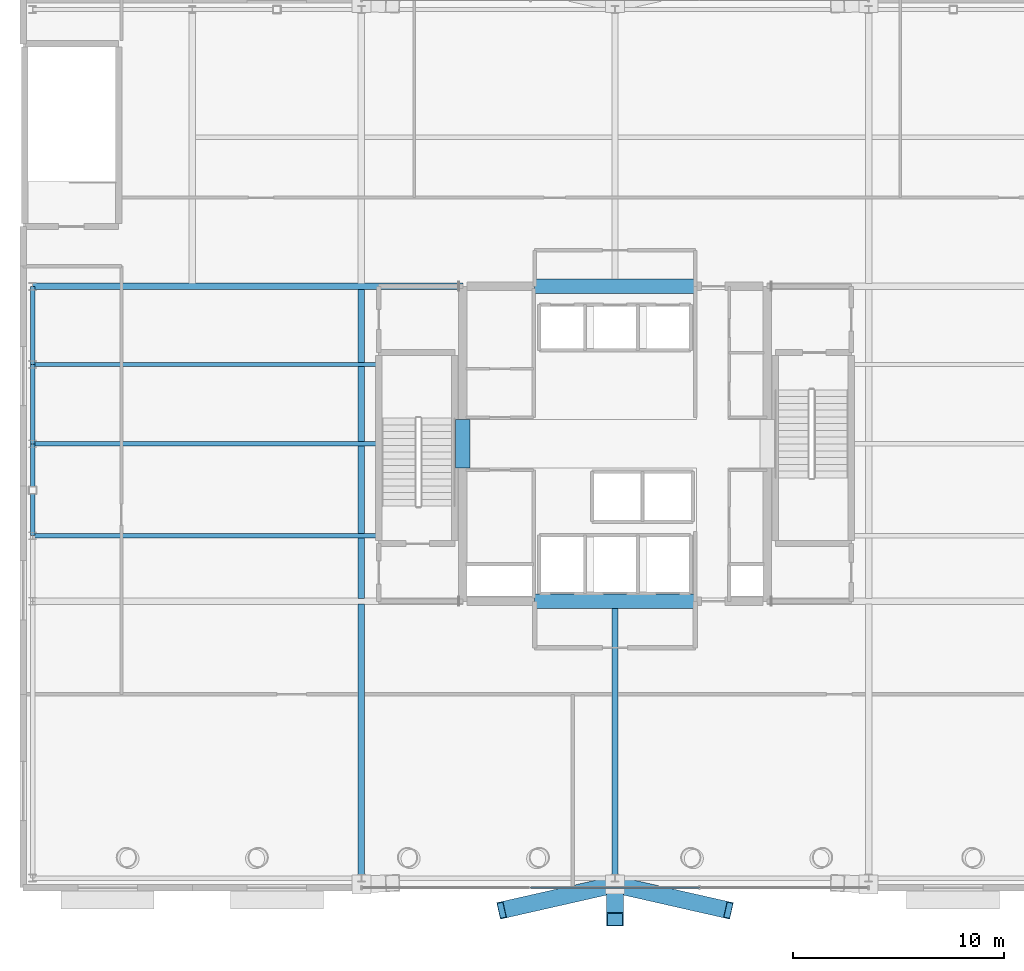
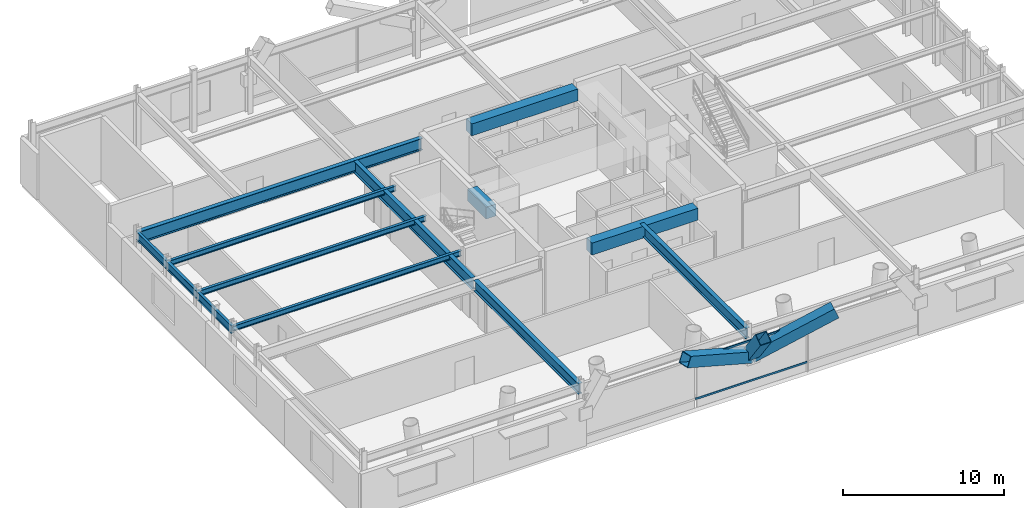
# One storey, part 7 of 21: 13 beams, 5 members, 1 element without a shape of its own.
"""IFC4 building model written with IfcOpenShell, lengths in metres."""

from ifc_helpers import new_model, si_unit, direction, frame, origin, origin_2d, place, context, subcontext, project, spatial, rectangle, hollow_rectangle, i_section, extrude, material, layer, layer_set, material_profile, profile_set, type_object, element, aggregate, save


model = new_model("IFC4")

# Units and contexts
model_context = context("Model", 3, precision=1e-05, world=origin(), true_north=direction((0.0, 1.0)))
body_context = subcontext(model_context, "Body", "Model", "MODEL_VIEW")
ifc_project = project(units=[si_unit("LENGTHUNIT", "METRE"), si_unit("AREAUNIT", "SQUARE_METRE"), si_unit("VOLUMEUNIT", "CUBIC_METRE"), si_unit("PLANEANGLEUNIT", "RADIAN"), si_unit("MASSUNIT", "GRAM", prefix="KILO")], contexts=[model_context])

# Site, building, storey
site_placement = place(None, origin())
site = spatial("IfcSite", under=ifc_project, at=site_placement, CompositionType="ELEMENT")
building_placement = place(site_placement, origin())
building = spatial("IfcBuilding", under=site, at=building_placement, Name="Veldorina Hangang Commons", CompositionType="ELEMENT")
storey_placement = place(building_placement, frame((0.0, 0.0, 19.60009765625)))
storey = spatial("IfcBuildingStorey", under=building, at=storey_placement, Name="L04", CompositionType="ELEMENT", Elevation=19.60009765625)

# Beams
ifc_material_1 = material(Name="Concrete C70/85", Category="concrete")
ifc_material_profile_1 = material_profile(ifc_material_1, rectangle(XDim=0.699951171875, YDim=0.89990234375, at=origin_2d()), Name="RC-CB-700x900")
ifc_profile_set_1 = profile_set([ifc_material_profile_1], Name="Concrete C70/85")
beam_type_1 = type_object("IfcBeamType", Name="BM-CB900", PredefinedType="LINTEL", material=ifc_profile_set_1)
beam_1_placement = place(storey_placement, frame((24.800048828125, 22.85009765625, 3.949951171875), z_axis=(0.0, 1.0, 0.0), x_axis=(-1.0, 0.0, 0.0)))
element("IfcBeam", 1, at=beam_1_placement, inside=storey, type_object=beam_type_1, Name="L04 W core coupling lintel beam", PredefinedType="LINTEL", context=body_context, shape_type="SweptSolid", body=[
    extrude(rectangle(XDim=0.699951171875, YDim=0.89990234375, at=origin_2d()), origin(), (0.0, 0.0, 1.0), 2.2998046875),
])
for number, where, z_axis, x_axis, name in (
    (2, (28.199951171875, 16.550048828125, 3.949951171875), (1.0, 0.0, 0.0), (0.0, 1.0, 0.0), "L04 south core coupling beam"),
    (3, (28.199951171875, 31.449951171875, 3.949951171875), (1.0, 0.0, 0.0), (0.0, 1.0, 0.0), "L04 north core coupling beam"),
):
    element("IfcBeam", number, at=place(storey_placement, frame(where, z_axis=z_axis, x_axis=x_axis)), inside=storey, type_object=beam_type_1, Name=name, PredefinedType="LINTEL", context=body_context, shape_type="SweptSolid", body=[
        extrude(rectangle(XDim=0.699951171875, YDim=0.89990234375, at=origin_2d()), origin(), (0.0, 0.0, 1.0), 7.60009765625),
    ])
ifc_material_2 = material(Name="Steel SM355-TMC", Category="steel")
ifc_material_profile_2 = material_profile(ifc_material_2, i_section(OverallWidth=0.199951171875, OverallDepth=0.39990234375, WebThickness=0.008056640625, FlangeThickness=0.012939453125, FilletRadius=0.012939453125, at=origin_2d()), Name="H-400x200x8x13")
ifc_profile_set_2 = profile_set([ifc_material_profile_2], Name="Steel SM355-TMC")
beam_type_2 = type_object("IfcBeamType", Name="BM-JST400", PredefinedType="JOIST", material=ifc_profile_set_2)
for number, where, z_axis, x_axis, name in (
    (4, (4.449951171875, 19.64990234375, 4.199951171875), (1.0, 0.0, 0.0), (0.0, 1.0, 0.0), "L04 west floor joist 1"),
    (5, (4.449951171875, 24.0, 4.199951171875), (1.0, 0.0, 0.0), (0.0, 1.0, 0.0), "L04 west floor joist 2"),
    (6, (4.449951171875, 27.75, 4.199951171875), (1.0, 0.0, 0.0), (0.0, 1.0, 0.0), "L04 west floor joist 3"),
):
    element("IfcBeam", number, at=place(storey_placement, frame(where, z_axis=z_axis, x_axis=x_axis)), inside=storey, type_object=beam_type_2, Name=name, PredefinedType="JOIST", context=body_context, shape_type="SweptSolid", body=[
        extrude(i_section(OverallWidth=0.199951171875, OverallDepth=0.39990234375, WebThickness=0.008056640625, FlangeThickness=0.012939453125, FilletRadius=0.012939453125, at=origin_2d()), origin(), (0.0, 0.0, 1.0), 16.3701171875),
    ])
ifc_material_3 = material(Name="Steel SM460-TMC", Category="steel")
ifc_material_profile_3 = material_profile(ifc_material_3, i_section(OverallWidth=0.300048828125, OverallDepth=0.800048828125, WebThickness=0.013916015625, FlangeThickness=0.02587890625, FilletRadius=0.02197265625, at=origin_2d()), Name="H-800x300x14x26")
ifc_profile_set_3 = profile_set([ifc_material_profile_3], Name="Steel SM460-TMC")
beam_type_3 = type_object("IfcBeamType", Name="BM-PG800", PredefinedType="BEAM", material=ifc_profile_set_3)
beam_2_placement = place(storey_placement, frame((20.0, 3.449951171875, 4.0), z_axis=(0.0, 1.0, 0.0), x_axis=(-1.0, 0.0, 0.0)))
element("IfcBeam", 7, at=beam_2_placement, inside=storey, type_object=beam_type_3, Name="L04 south primary girder G3", PredefinedType="BEAM", context=body_context, shape_type="SweptSolid", body=[
    extrude(i_section(OverallWidth=0.300048828125, OverallDepth=0.800048828125, WebThickness=0.013916015625, FlangeThickness=0.02587890625, FilletRadius=0.02197265625, at=origin_2d()), origin(), (0.0, 0.0, 1.0), 12.9599609375),
])
beam_3_placement = place(storey_placement, frame((32.0, 3.449951171875, 4.0), z_axis=(0.0, 1.0, 0.0), x_axis=(-1.0, 0.0, 0.0)))
element("IfcBeam", 8, at=beam_3_placement, inside=storey, type_object=beam_type_3, Name="L04 south primary girder G5", PredefinedType="BEAM", context=body_context, shape_type="SweptSolid", body=[
    extrude(i_section(OverallWidth=0.300048828125, OverallDepth=0.800048828125, WebThickness=0.013916015625, FlangeThickness=0.02587890625, FilletRadius=0.02197265625, at=origin_2d()), origin(), (0.0, 0.0, 1.0), 13.10009765625),
])
ifc_material_profile_4 = material_profile(ifc_material_3, i_section(OverallWidth=0.300048828125, OverallDepth=0.89990234375, WebThickness=0.01611328125, FlangeThickness=0.028076171875, FilletRadius=0.02197265625, at=origin_2d()), Name="H-900x300x16x28")
ifc_profile_set_4 = profile_set([ifc_material_profile_4], Name="Steel SM460-TMC")
beam_type_4 = type_object("IfcBeamType", Name="BM-PG900", PredefinedType="BEAM", material=ifc_profile_set_4)
beam_4_placement = place(storey_placement, frame((4.449951171875, 31.449951171875, 3.949951171875), z_axis=(1.0, 0.0, 0.0), x_axis=(0.0, 1.0, 0.0)))
element("IfcBeam", 9, at=beam_4_placement, inside=storey, type_object=beam_type_4, Name="L04 west collector girder GF", PredefinedType="BEAM", context=body_context, shape_type="SweptSolid", body=[
    extrude(i_section(OverallWidth=0.300048828125, OverallDepth=0.89990234375, WebThickness=0.01611328125, FlangeThickness=0.028076171875, FilletRadius=0.02197265625, at=origin_2d()), origin(), (0.0, 0.0, 1.0), 20.35009765625),
])
beam_5_placement = place(storey_placement, frame((20.0, 16.68994140625, 3.949951171875), z_axis=(0.0, 1.0, 0.0), x_axis=(-1.0, 0.0, 0.0)))
element("IfcBeam", 10, at=beam_5_placement, inside=storey, type_object=beam_type_4, Name="L04 mid primary girder G3", PredefinedType="BEAM", context=body_context, shape_type="SweptSolid", body=[
    extrude(i_section(OverallWidth=0.300048828125, OverallDepth=0.89990234375, WebThickness=0.01611328125, FlangeThickness=0.028076171875, FilletRadius=0.02197265625, at=origin_2d()), origin(), (0.0, 0.0, 1.0), 14.6201171875),
])
ifc_material_4 = material(Name="Steel SM420-TMC", Category="steel")
ifc_material_profile_5 = material_profile(ifc_material_4, i_section(OverallWidth=0.199951171875, OverallDepth=0.60009765625, WebThickness=0.010986328125, FlangeThickness=0.01708984375, FilletRadius=0.01806640625, at=origin_2d()), Name="H-600x200x11x17")
ifc_profile_set_5 = profile_set([ifc_material_profile_5], Name="Steel SM420-TMC")
beam_type_5 = type_object("IfcBeamType", Name="BM-SPN600", PredefinedType="SPANDREL", material=ifc_profile_set_5)
beam_6_placement = place(storey_placement, frame((4.449951171875, 19.64990234375, 4.099853515625), z_axis=(0.0, 1.0, 0.0), x_axis=(-1.0, 0.0, 0.0)))
element("IfcBeam", 11, at=beam_6_placement, inside=storey, type_object=beam_type_5, Name="L04 west spandrel beam 3", PredefinedType="SPANDREL", context=body_context, shape_type="SweptSolid", body=[
    extrude(i_section(OverallWidth=0.199951171875, OverallDepth=0.60009765625, WebThickness=0.010986328125, FlangeThickness=0.01708984375, FilletRadius=0.01806640625, at=origin_2d()), origin(), (0.0, 0.0, 1.0), 4.35009765625),
])
beam_7_placement = place(storey_placement, frame((4.449951171875, 24.0, 4.099853515625), z_axis=(0.0, 1.0, 0.0), x_axis=(-1.0, 0.0, 0.0)))
element("IfcBeam", 12, at=beam_7_placement, inside=storey, type_object=beam_type_5, Name="L04 west spandrel beam 4", PredefinedType="SPANDREL", context=body_context, shape_type="SweptSolid", body=[
    extrude(i_section(OverallWidth=0.199951171875, OverallDepth=0.60009765625, WebThickness=0.010986328125, FlangeThickness=0.01708984375, FilletRadius=0.01806640625, at=origin_2d()), origin(), (0.0, 0.0, 1.0), 3.75),
])
beam_8_placement = place(storey_placement, frame((4.449951171875, 27.75, 4.099853515625), z_axis=(0.0, 1.0, 0.0), x_axis=(-1.0, 0.0, 0.0)))
element("IfcBeam", 13, at=beam_8_placement, inside=storey, type_object=beam_type_5, Name="L04 west spandrel beam 5", PredefinedType="SPANDREL", context=body_context, shape_type="SweptSolid", body=[
    extrude(i_section(OverallWidth=0.199951171875, OverallDepth=0.60009765625, WebThickness=0.010986328125, FlangeThickness=0.01708984375, FilletRadius=0.01806640625, at=origin_2d()), origin(), (0.0, 0.0, 1.0), 3.699951171875),
])

# Curtain wall, members
ifc_material_5 = material(Name="Glass Low-E Triple IGU", Category="glass")
ifc_layer = layer(ifc_material_5, 0.179931640625)
ifc_layer_set = layer_set([ifc_layer], Name="Glass Low-E Triple IGU")
curtain_wall_type = type_object("IfcCurtainWallType", Name="CW-SYS-POD", PredefinedType="NOTDEFINED", material=ifc_layer_set)
curtain_wall_placement = place(storey_placement, origin())
curtain_wall = element("IfcCurtainWall", 14, at=curtain_wall_placement, inside=storey, type_object=curtain_wall_type, Name="L04 unitised curtain wall CW-L04-S-CTR", PredefinedType="NOTDEFINED")
ifc_material_6 = material(Name="Aluminium Anodized AA6063-T6", Category="aluminium")
ifc_material_profile_6 = material_profile(ifc_material_6, hollow_rectangle(XDim=0.06005859375, YDim=0.139892578125, WallThickness=0.00341796875, at=origin_2d()), Name="ALU-RHS-140x60x3.5")
ifc_profile_set_6 = profile_set([ifc_material_profile_6], Name="Aluminium Anodized AA6063-T6")
member_type_1 = type_object("IfcMemberType", Name="CW-TRN-140", PredefinedType="USERDEFINED", material=ifc_profile_set_6)
member_1_placement = place(storey_placement, frame((28.0, 3.0, 0.699951171875), z_axis=(1.0, 0.0, 0.0), x_axis=(0.0, 1.0, 0.0)))
member_1 = element("IfcMember", 15, at=member_1_placement, type_object=member_type_1, Name="CW-L04-S-CTR facet 2 transom 1", ObjectType="TRANSOM", PredefinedType="USERDEFINED", context=body_context, shape_type="SweptSolid", body=[
    extrude(hollow_rectangle(XDim=0.06005859375, YDim=0.139892578125, WallThickness=0.00341796875, at=origin_2d()), origin(), (0.0, 0.0, 1.0), 8.0),
])
member_2_placement = place(storey_placement, frame((28.0, 3.0, 3.739990234375), z_axis=(1.0, 0.0, 0.0), x_axis=(0.0, 1.0, 0.0)))
member_2 = element("IfcMember", 16, at=member_2_placement, type_object=member_type_1, Name="CW-L04-S-CTR facet 2 transom 2", ObjectType="TRANSOM", PredefinedType="USERDEFINED", context=body_context, shape_type="SweptSolid", body=[
    extrude(hollow_rectangle(XDim=0.06005859375, YDim=0.139892578125, WallThickness=0.00341796875, at=origin_2d()), origin(), (0.0, 0.0, 1.0), 8.0),
])
aggregate(curtain_wall, [member_1, member_2])

# Members
ifc_material_7 = material(Name="Steel SM490-TMC", Category="steel")
ifc_material_profile_7 = material_profile(ifc_material_7, hollow_rectangle(XDim=0.800048828125, YDim=0.800048828125, WallThickness=0.0400390625, at=origin_2d()), Name="BOX-800x800x40")
ifc_profile_set_7 = profile_set([ifc_material_profile_7], Name="Steel SM490-TMC")
member_type_2 = type_object("IfcMemberType", Name="TR-BOX800", PredefinedType="BRACE", material=ifc_profile_set_7)
member_3_placement = place(storey_placement, frame((32.0, 3.14990234375, 2.5498046875), z_axis=(-0.902629292716, -0.2048424247, 0.378549786652), x_axis=(0.221312278522, -0.975202991882, 0.0)))
element("IfcMember", 17, at=member_3_placement, inside=storey, type_object=member_type_2, Name="L04 podium-to-transfer raking strut 23", PredefinedType="BRACE", context=body_context, shape_type="SweptSolid", body=[
    extrude(hollow_rectangle(XDim=0.800048828125, YDim=0.800048828125, WallThickness=0.0400390625, at=origin_2d()), origin(), (0.0, 0.0, 1.0), 5.94384765625),
])
member_4_placement = place(storey_placement, frame((32.0, 3.14990234375, 2.5498046875), z_axis=(0.0, -0.591340902664, 0.806421686735), x_axis=(1.0, 0.0, 0.0)))
element("IfcMember", 18, at=member_4_placement, inside=storey, type_object=member_type_2, Name="L04 podium-to-transfer raking strut 24", PredefinedType="BRACE", context=body_context, shape_type="SweptSolid", body=[
    extrude(hollow_rectangle(XDim=0.800048828125, YDim=0.800048828125, WallThickness=0.0400390625, at=origin_2d()), origin(), (0.0, 0.0, 1.0), 2.7900390625),
])
member_5_placement = place(storey_placement, frame((32.0, 3.14990234375, 2.5498046875), z_axis=(0.902629292716, -0.2048424247, 0.378549786652), x_axis=(0.221312278522, 0.975202991882, 0.0)))
element("IfcMember", 19, at=member_5_placement, inside=storey, type_object=member_type_2, Name="L04 podium-to-transfer raking strut 25", PredefinedType="BRACE", context=body_context, shape_type="SweptSolid", body=[
    extrude(hollow_rectangle(XDim=0.800048828125, YDim=0.800048828125, WallThickness=0.0400390625, at=origin_2d()), origin(), (0.0, 0.0, 1.0), 5.94384765625),
])

save(model, "model.ifc")
